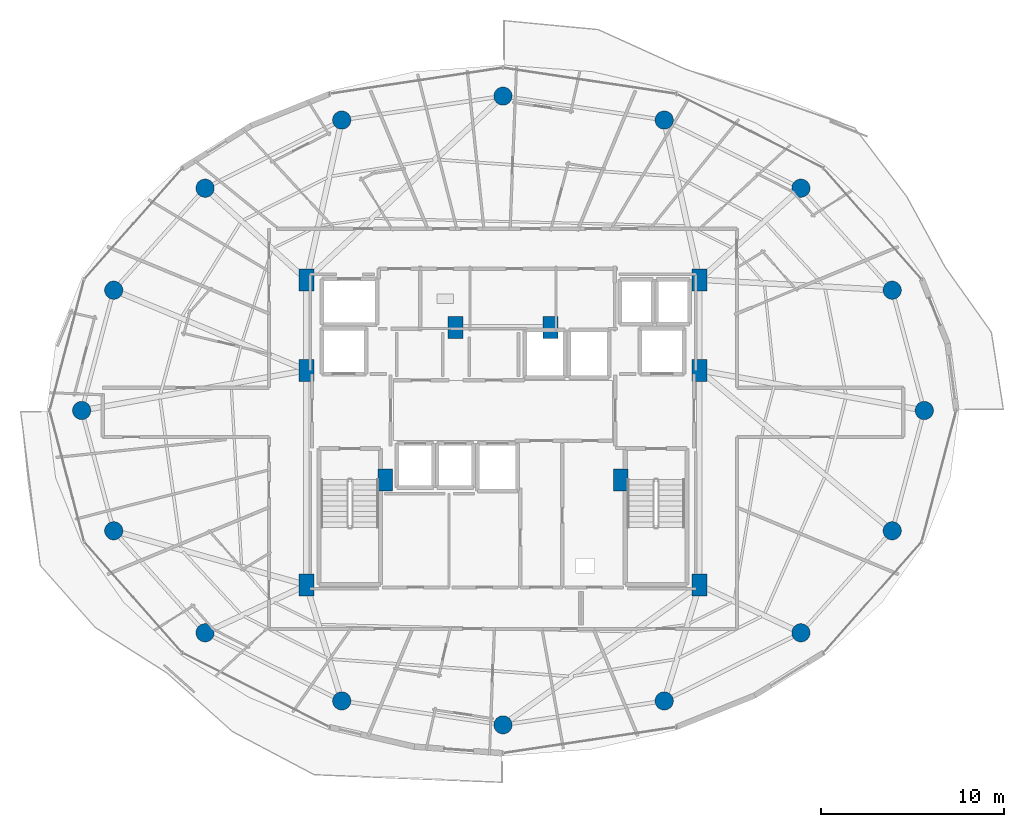
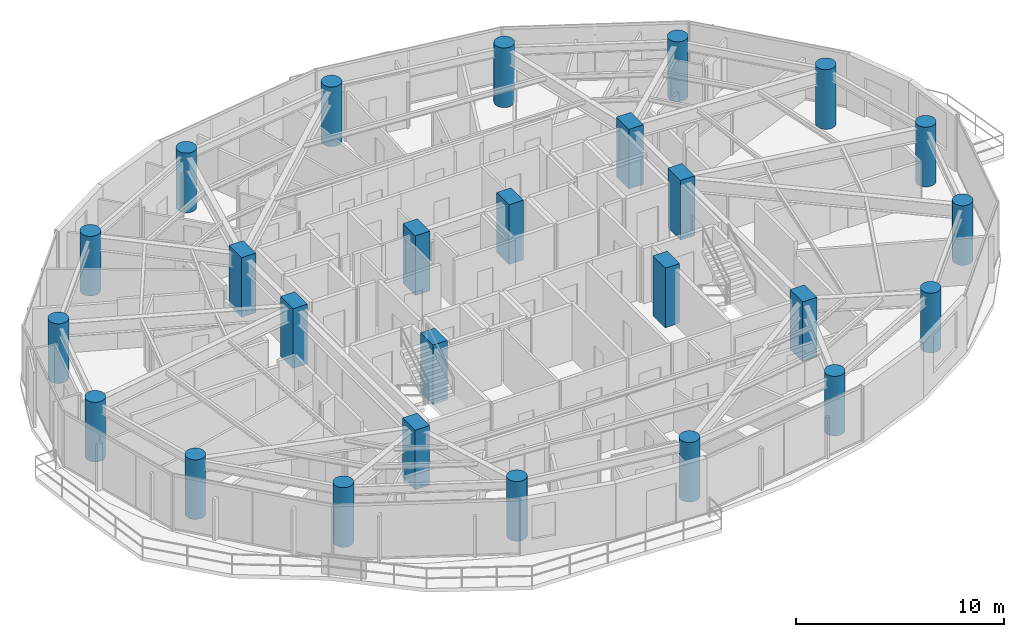
# One storey, part 1 of 28: 26 columns.
"""IFC4 building model written with IfcOpenShell, lengths in metres."""

from ifc_helpers import new_model, si_unit, direction, frame, origin, origin_2d, place, context, subcontext, project, spatial, rectangle, circle, extrude, material, material_profile, profile_set, type_object, element, save


model = new_model("IFC4")

# Units and contexts
model_context = context("Model", 3, precision=1e-05, world=origin(), true_north=direction((0.0, 1.0)))
body_context = subcontext(model_context, "Body", "Model", "MODEL_VIEW")
ifc_project = project(units=[si_unit("LENGTHUNIT", "METRE"), si_unit("AREAUNIT", "SQUARE_METRE"), si_unit("VOLUMEUNIT", "CUBIC_METRE"), si_unit("PLANEANGLEUNIT", "RADIAN"), si_unit("MASSUNIT", "GRAM", prefix="KILO")], contexts=[model_context])

# Site, building, storey
site_placement = place(None, origin())
site = spatial("IfcSite", under=ifc_project, at=site_placement, CompositionType="ELEMENT")
building_placement = place(site_placement, origin())
building = spatial("IfcBuilding", under=site, at=building_placement, Name="Vorneva Point Tower", CompositionType="ELEMENT")
storey_placement = place(building_placement, frame((0.0, 0.0, 146.60009765625)))
storey = spatial("IfcBuildingStorey", under=building, at=storey_placement, Name="L39", CompositionType="ELEMENT", Elevation=146.60009765625)

# Columns
ifc_material = material(Name="Concrete B60 (C50/60)", Category="concrete")
ifc_material_profile_1 = material_profile(ifc_material, circle(Radius=0.5, at=origin_2d()), Name="RC-CIRC 1000")
ifc_profile_set_1 = profile_set([ifc_material_profile_1], Name="Concrete B60 (C50/60)")
column_type_1 = type_object("IfcColumnType", Name="COL-RC1000C", PredefinedType="COLUMN", material=ifc_profile_set_1)
for number, where, z_axis, x_axis, name in (
    (1, (61.050048828125, 26.0, 0.0), (0.0, 0.0, 1.0), (1.0, 0.0, 0.0), "L39 Perimeter Column P01"),
    (2, (59.29541015625, 32.582275390625, 0.0), (0.0, 0.0, 1.0), (0.923879532511, 0.382683432365, 0.0), "L39 Perimeter Column P02"),
    (3, (54.298828125, 38.162109375, 0.0), (0.0, 0.0, 1.0), (0.707106781187, 0.707106781187, 0.0), "L39 Perimeter Column P03"),
    (4, (46.82080078125, 41.890625, 0.0), (0.0, 0.0, 1.0), (0.382683432365, 0.923879532511, 0.0), "L39 Perimeter Column P04"),
    (5, (38.0, 43.199951171875, 0.0), (0.0, 0.0, 1.0), (0.0, 1.0, 0.0), "L39 Perimeter Column P05"),
    (6, (29.17919921875, 41.890625, 0.0), (0.0, 0.0, 1.0), (-0.382683432365, 0.923879532511, 0.0), "L39 Perimeter Column P06"),
    (7, (21.701171875, 38.162109375, 0.0), (0.0, 0.0, 1.0), (-0.707106781187, 0.707106781187, 0.0), "L39 Perimeter Column P07"),
    (8, (16.70458984375, 32.582275390625, 0.0), (0.0, 0.0, 1.0), (-0.923879532511, 0.382683432365, 0.0), "L39 Perimeter Column P08"),
    (9, (14.949951171875, 26.0, 0.0), (0.0, 0.0, 1.0), (-1.0, 0.0, 0.0), "L39 Perimeter Column P09"),
    (10, (16.70458984375, 19.417724609375, 0.0), (0.0, 0.0, 1.0), (-0.923879532511, -0.382683432365, 0.0), "L39 Perimeter Column P10"),
    (11, (21.701171875, 13.837890625, 0.0), (0.0, 0.0, 1.0), (-0.707106781187, -0.707106781187, 0.0), "L39 Perimeter Column P11"),
    (12, (29.17919921875, 10.109375, 0.0), (0.0, 0.0, 1.0), (-0.382683432365, -0.923879532511, 0.0), "L39 Perimeter Column P12"),
    (13, (38.0, 8.800048828125, 0.0), (0.0, 0.0, 1.0), (0.0, -1.0, 0.0), "L39 Perimeter Column P13"),
    (14, (46.82080078125, 10.109375, 0.0), (0.0, 0.0, 1.0), (0.382683432365, -0.923879532511, 0.0), "L39 Perimeter Column P14"),
    (15, (54.298828125, 13.837890625, 0.0), (0.0, 0.0, 1.0), (0.707106781187, -0.707106781187, 0.0), "L39 Perimeter Column P15"),
    (16, (59.29541015625, 19.417724609375, 0.0), (0.0, 0.0, 1.0), (0.923879532511, -0.382683432365, 0.0), "L39 Perimeter Column P16"),
):
    element("IfcColumn", number, at=place(storey_placement, frame(where, z_axis=z_axis, x_axis=x_axis)), inside=storey, type_object=column_type_1, Name=name, PredefinedType="COLUMN", context=body_context, shape_type="SweptSolid", body=[
        extrude(circle(Radius=0.5, at=origin_2d()), origin(), (0.0, 0.0, 1.0), 3.5),
    ])
ifc_material_profile_2 = material_profile(ifc_material, rectangle(XDim=0.800048828125, YDim=1.199951171875, at=origin_2d()), Name="RC-PIL 1200x800")
ifc_profile_set_2 = profile_set([ifc_material_profile_2], Name="Concrete B60 (C50/60)")
column_type_2 = type_object("IfcColumnType", Name="PIL-RC1200x800", PredefinedType="PILASTER", material=ifc_profile_set_2)
for number, where, z_axis, x_axis, name in (
    (17, (27.25, 16.449951171875, 0.0), (0.0, 0.0, 1.0), (1.0, 0.0, 0.0), "L39 Core Pilaster CP1"),
    (18, (27.25, 28.199951171875, 0.0), (0.0, 0.0, 1.0), (1.0, 0.0, 0.0), "L39 Core Pilaster CP2"),
    (19, (27.25, 33.14990234375, 0.0), (0.0, 0.0, 1.0), (1.0, 0.0, 0.0), "L39 Core Pilaster CP3"),
    (20, (31.550048828125, 22.199951171875, 0.0), (0.0, 0.0, 1.0), (1.0, 0.0, 0.0), "L39 Core Pilaster CP4"),
    (21, (48.75, 33.14990234375, 0.0), (0.0, 0.0, 1.0), (1.0, 0.0, 0.0), "L39 Core Pilaster CP5"),
    (22, (48.75, 28.199951171875, 0.0), (0.0, 0.0, 1.0), (1.0, 0.0, 0.0), "L39 Core Pilaster CP6"),
    (23, (48.75, 16.449951171875, 0.0), (0.0, 0.0, 1.0), (1.0, 0.0, 0.0), "L39 Core Pilaster CP7"),
    (24, (44.449951171875, 22.199951171875, 0.0), (0.0, 0.0, 1.0), (1.0, 0.0, 0.0), "L39 Core Pilaster CP8"),
    (25, (35.39990234375, 30.550048828125, 0.0), (0.0, 0.0, 1.0), (1.0, 0.0, 0.0), "L39 Core Pilaster CP9"),
    (26, (40.60009765625, 30.550048828125, 0.0), (0.0, 0.0, 1.0), (1.0, 0.0, 0.0), "L39 Core Pilaster CP10"),
):
    element("IfcColumn", number, at=place(storey_placement, frame(where, z_axis=z_axis, x_axis=x_axis)), inside=storey, type_object=column_type_2, Name=name, PredefinedType="PILASTER", context=body_context, shape_type="SweptSolid", body=[
        extrude(rectangle(XDim=0.800048828125, YDim=1.199951171875, at=origin_2d()), origin(), (0.0, 0.0, 1.0), 3.5),
    ])

save(model, "model.ifc")
